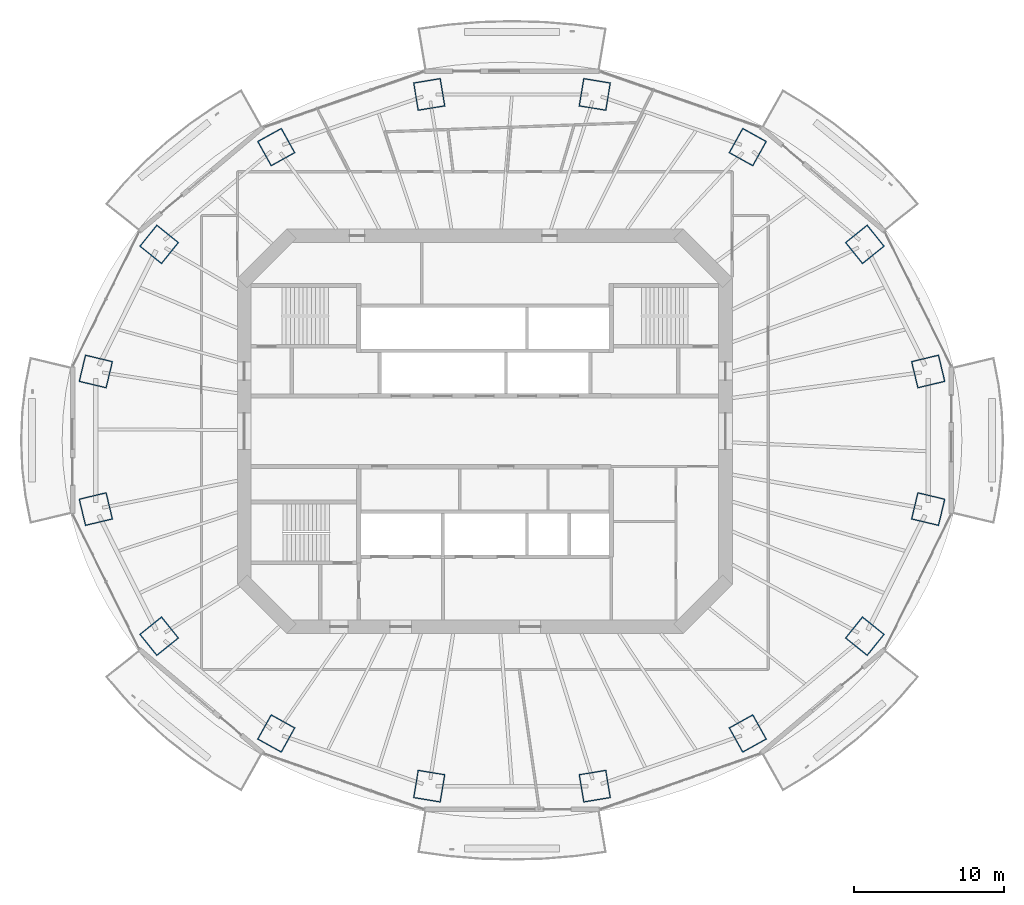
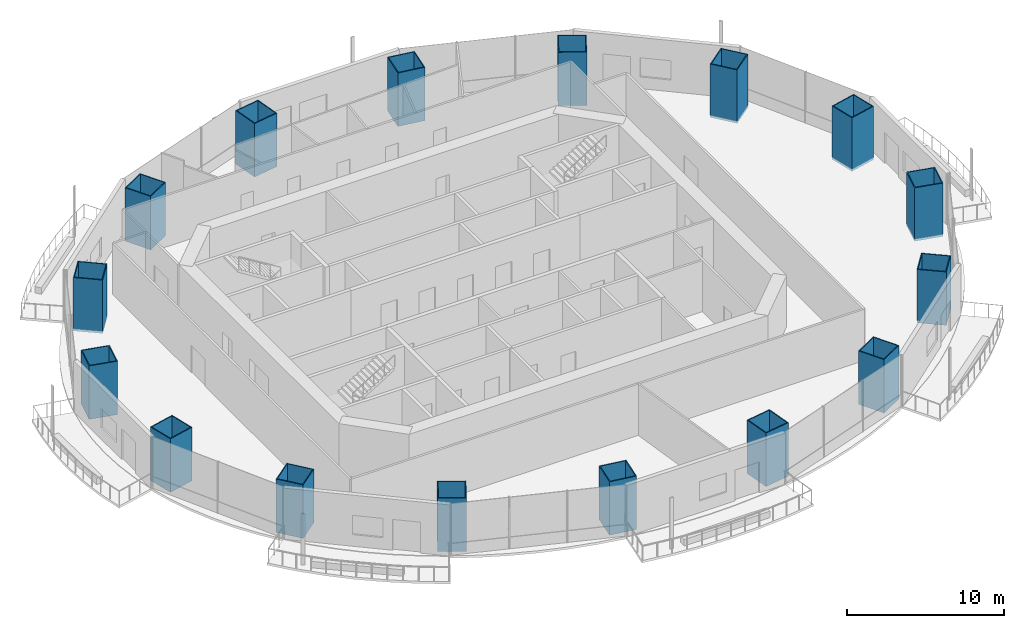
# One storey, part 1 of 19: 16 columns.
"""IFC4 building model written with IfcOpenShell, lengths in metres."""

from ifc_helpers import new_model, si_unit, direction, frame, origin, origin_2d, place, context, subcontext, project, spatial, rectangle, hollow_rectangle, extrude, material, material_profile, profile_set, type_object, element, save


model = new_model("IFC4")

# Units and contexts
model_context = context("Model", 3, precision=1e-05, world=origin(), true_north=direction((0.0, 1.0)))
body_context = subcontext(model_context, "Body", "Model", "MODEL_VIEW")
ifc_project = project(units=[si_unit("LENGTHUNIT", "METRE"), si_unit("AREAUNIT", "SQUARE_METRE"), si_unit("VOLUMEUNIT", "CUBIC_METRE"), si_unit("PLANEANGLEUNIT", "RADIAN"), si_unit("MASSUNIT", "GRAM", prefix="KILO")], contexts=[model_context])

# Site, building, storey
site_placement = place(None, origin())
site = spatial("IfcSite", under=ifc_project, at=site_placement, CompositionType="ELEMENT")
building_placement = place(site_placement, origin())
building = spatial("IfcBuilding", under=site, at=building_placement, Name="Marenthal Gate Tower", CompositionType="ELEMENT")
storey_placement = place(building_placement, frame((0.0, 0.0, 252.35009765625)))
storey = spatial("IfcBuildingStorey", under=building, at=storey_placement, Name="L56", CompositionType="ELEMENT", Elevation=252.35009765625)

# Columns
ifc_material_1 = material(Name="Steel S460", Category="steel")
ifc_material_profile_1 = material_profile(ifc_material_1, hollow_rectangle(XDim=1.85009765625, YDim=1.89990234375, WallThickness=0.06494140625, at=origin_2d()), Name="CFT BOX 1900X1850X65")
ifc_material_2 = material(Name="Concrete 70 MPa", Category="concrete")
ifc_material_profile_2 = material_profile(ifc_material_2, rectangle(XDim=1.719970703125, YDim=1.77001953125, at=origin_2d()), Name="CFT BOX 1900X1850X65 INFILL")
ifc_profile_set = profile_set([ifc_material_profile_1, ifc_material_profile_2], Name="Steel S460 shell, Concrete 70 MPa infill")
column_type = type_object("IfcColumnType", Name="CFT BOX 1900X1850X65", PredefinedType="COLUMN", material=ifc_profile_set)
for number, where, z_axis, x_axis, name in (
    (1, (29.480712890625, 3.9755859375, -0.18017578125), (0.0, 0.0, 1.0), (0.232783438617, -0.972528596343, 0.0), "COL-L56-01"),
    (2, (25.2666015625, 12.430419921875, -0.18017578125), (0.0, 0.0, 1.0), (0.626614692914, -0.779329215816, 0.0), "COL-L56-02"),
    (3, (17.47998046875, 18.9013671875, -0.18017578125), (0.0, 0.0, 1.0), (0.874262393624, -0.485453671419, 0.0), "COL-L56-03"),
    (4, (7.305908203125, 22.4033203125, -0.18017578125), (0.0, 0.0, 1.0), (0.986611470936, -0.163088336238, 0.0), "COL-L56-04"),
    (5, (-3.7060546875, 22.4033203125, -0.18017578125), (0.0, 0.0, 1.0), (0.986611470936, 0.163088336238, 0.0), "COL-L56-05"),
    (6, (-13.8798828125, 18.9013671875, -0.18017578125), (0.0, 0.0, 1.0), (0.874262393624, 0.485453671419, 0.0), "COL-L56-06"),
    (7, (-21.66650390625, 12.430419921875, -0.18017578125), (0.0, 0.0, 1.0), (0.626614692914, 0.779329215816, 0.0), "COL-L56-07"),
    (8, (-25.880615234375, 3.9755859375, -0.18017578125), (0.0, 0.0, 1.0), (0.232783438617, 0.972528596343, 0.0), "COL-L56-08"),
    (9, (-25.880615234375, -5.175537109375, -0.18017578125), (0.0, 0.0, 1.0), (-0.232783438617, 0.972528596343, 0.0), "COL-L56-09"),
    (10, (-21.66650390625, -13.63037109375, -0.18017578125), (0.0, 0.0, 1.0), (-0.626614692914, 0.779329215816, 0.0), "COL-L56-10"),
    (11, (-13.8798828125, -20.101318359375, -0.18017578125), (0.0, 0.0, 1.0), (-0.874262393624, 0.485453671419, 0.0), "COL-L56-11"),
    (12, (-3.7060546875, -23.603271484375, -0.18017578125), (0.0, 0.0, 1.0), (-0.986611470936, 0.163088336238, 0.0), "COL-L56-12"),
    (13, (7.305908203125, -23.603271484375, -0.18017578125), (0.0, 0.0, 1.0), (-0.986611470936, -0.163088336238, 0.0), "COL-L56-13"),
    (14, (17.47998046875, -20.101318359375, -0.18017578125), (0.0, 0.0, 1.0), (-0.874262393624, -0.485453671419, 0.0), "COL-L56-14"),
    (15, (25.2666015625, -13.63037109375, -0.18017578125), (0.0, 0.0, 1.0), (-0.626614692914, -0.779329215816, 0.0), "COL-L56-15"),
    (16, (29.480712890625, -5.175537109375, -0.18017578125), (0.0, 0.0, 1.0), (-0.232783438617, -0.972528596343, 0.0), "COL-L56-16"),
):
    element("IfcColumn", number, at=place(storey_placement, frame(where, z_axis=z_axis, x_axis=x_axis)), inside=storey, type_object=column_type, Name=name, PredefinedType="COLUMN", context=body_context, shape_type="SweptSolid", body=[
        extrude(hollow_rectangle(XDim=1.85009765625, YDim=1.89990234375, WallThickness=0.06494140625, at=origin_2d()), origin(), (0.0, 0.0, 1.0), 4.150146484375),
    ])

save(model, "model.ifc")
